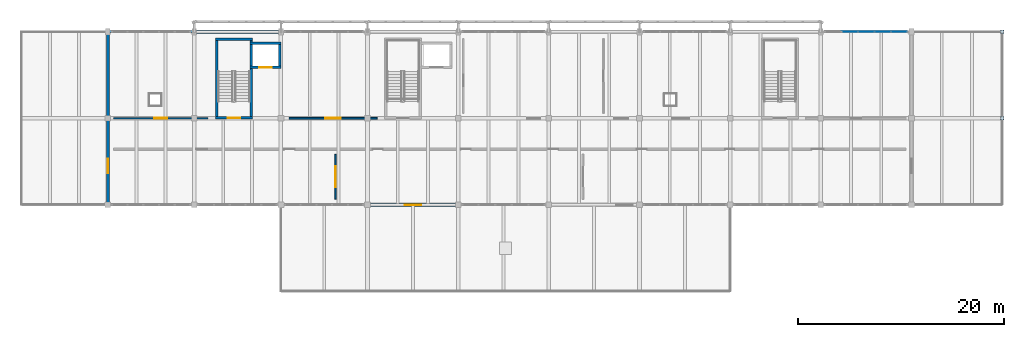
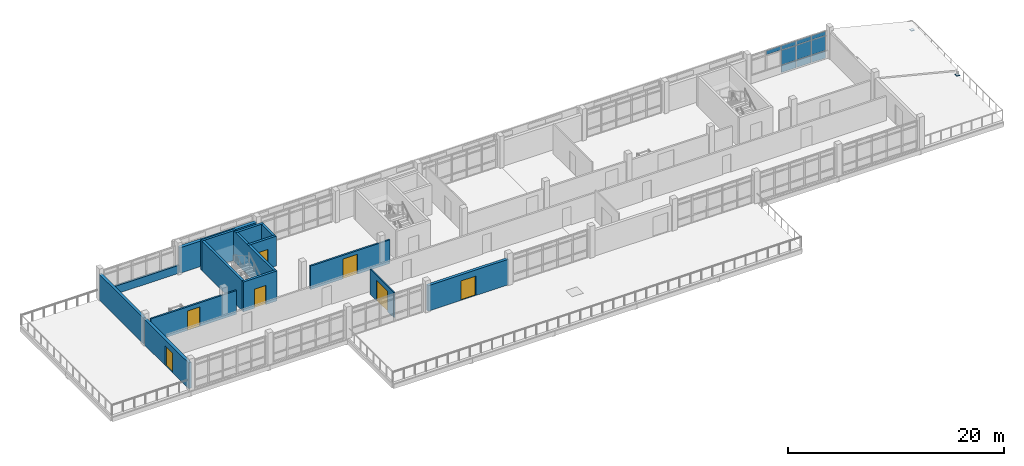
# One storey, part 23 of 30: 15 walls, 12 plates, 7 doors, 7 openings, 1 element without a shape of its own.
"""IFC4 building model written with IfcOpenShell, lengths in metres."""

from ifc_helpers import new_model, si_unit, direction, frame, frame_2d, origin, origin_2d, place, context, subcontext, project, spatial, rectangle, extrude, material, layer, layer_set, type_object, element, fill, aggregate, save


model = new_model("IFC4")

# Units and contexts
model_context = context("Model", 3, precision=1e-05, world=origin(), true_north=direction((0.0, 1.0)))
body_context = subcontext(model_context, "Body", "Model", "MODEL_VIEW")
ifc_project = project(units=[si_unit("LENGTHUNIT", "METRE"), si_unit("AREAUNIT", "SQUARE_METRE"), si_unit("VOLUMEUNIT", "CUBIC_METRE"), si_unit("PLANEANGLEUNIT", "RADIAN"), si_unit("MASSUNIT", "GRAM", prefix="KILO")], contexts=[model_context])

# Site, building, storey
site_placement = place(None, origin())
site = spatial("IfcSite", under=ifc_project, at=site_placement, CompositionType="ELEMENT")
building_placement = place(site_placement, origin())
building = spatial("IfcBuilding", under=site, at=building_placement, Name="Cinderway Yard Community Centre", CompositionType="ELEMENT")
storey_placement = place(building_placement, frame((0.0, 0.0, 16.5)))
storey = spatial("IfcBuildingStorey", under=building, at=storey_placement, Name="L04", CompositionType="ELEMENT", Elevation=16.5)

# Curtain wall, plates
ifc_material_1 = material(Name="Aluminium 6063-T6", Category="aluminium")
curtain_wall_type = type_object("IfcCurtainWallType", Name="ENV-CW-TYPE-33", PredefinedType="USERDEFINED", material=ifc_material_1)
curtain_wall_placement = place(storey_placement, origin())
curtain_wall = element("IfcCurtainWall", 1, at=curtain_wall_placement, inside=storey, type_object=curtain_wall_type, Name="V4 Street Curtain Wall ENV-CW-L04-ST-0186", ObjectType="GLAZED CURTAIN WALL", PredefinedType="USERDEFINED")
ifc_material_2 = material(Name="Laminated Low-E Glass", Category="glass")
ifc_layer_1 = layer(ifc_material_2, 0.028076171875, Name="Laminated Low-E Glass")
ifc_layer_set_1 = layer_set([ifc_layer_1], Name="Laminated Low-E Glass")
plate_type_1 = type_object("IfcPlateType", Name="ENV-CW-PAN-IGU28", PredefinedType="CURTAIN_PANEL", material=ifc_layer_set_1)
plate_1_placement = place(storey_placement, frame((121.991943359375, 115.199951171875, 2.630126953125), z_axis=(0.0, 0.0, 1.0), x_axis=(1.0, 0.0, 0.0)))
plate_1 = element("IfcPlate", 2, at=plate_1_placement, type_object=plate_type_1, Name="CW-33 panel 2.3", PredefinedType="CURTAIN_PANEL", context=body_context, shape_type="SweptSolid", body=[
    extrude(rectangle(XDim=1.548095703125, YDim=0.028076171875, at=origin_2d()), origin(), (0.0, 0.0, 1.0), 0.4599609375),
])
plate_2_placement = place(storey_placement, frame((123.60009765625, 115.199951171875, 0.06005859375), z_axis=(0.0, 0.0, 1.0), x_axis=(1.0, 0.0, 0.0)))
plate_2 = element("IfcPlate", 3, at=plate_2_placement, type_object=plate_type_1, Name="CW-33 panel 3.1", PredefinedType="CURTAIN_PANEL", context=body_context, shape_type="SweptSolid", body=[
    extrude(rectangle(XDim=1.548095703125, YDim=0.028076171875, at=origin_2d()), origin(), (0.0, 0.0, 1.0), 0.81005859375),
])
plate_3_placement = place(storey_placement, frame((123.60009765625, 115.199951171875, 0.93017578125), z_axis=(0.0, 0.0, 1.0), x_axis=(1.0, 0.0, 0.0)))
plate_3 = element("IfcPlate", 4, at=plate_3_placement, type_object=plate_type_1, Name="CW-33 panel 3.2", PredefinedType="CURTAIN_PANEL", context=body_context, shape_type="SweptSolid", body=[
    extrude(rectangle(XDim=1.548095703125, YDim=0.028076171875, at=origin_2d()), origin(), (0.0, 0.0, 1.0), 1.639892578125),
])
plate_4_placement = place(storey_placement, frame((123.60009765625, 115.199951171875, 2.630126953125), z_axis=(0.0, 0.0, 1.0), x_axis=(1.0, 0.0, 0.0)))
plate_4 = element("IfcPlate", 5, at=plate_4_placement, type_object=plate_type_1, Name="CW-33 panel 3.3", PredefinedType="CURTAIN_PANEL", context=body_context, shape_type="SweptSolid", body=[
    extrude(rectangle(XDim=1.548095703125, YDim=0.028076171875, at=origin_2d()), origin(), (0.0, 0.0, 1.0), 0.4599609375),
])
plate_5_placement = place(storey_placement, frame((125.2080078125, 115.199951171875, 0.06005859375), z_axis=(0.0, 0.0, 1.0), x_axis=(1.0, 0.0, 0.0)))
plate_5 = element("IfcPlate", 6, at=plate_5_placement, type_object=plate_type_1, Name="CW-33 panel 4.1", PredefinedType="CURTAIN_PANEL", context=body_context, shape_type="SweptSolid", body=[
    extrude(rectangle(XDim=1.548095703125, YDim=0.028076171875, at=origin_2d()), origin(), (0.0, 0.0, 1.0), 0.81005859375),
])
plate_6_placement = place(storey_placement, frame((125.2080078125, 115.199951171875, 0.93017578125), z_axis=(0.0, 0.0, 1.0), x_axis=(1.0, 0.0, 0.0)))
plate_6 = element("IfcPlate", 7, at=plate_6_placement, type_object=plate_type_1, Name="CW-33 panel 4.2", PredefinedType="CURTAIN_PANEL", context=body_context, shape_type="SweptSolid", body=[
    extrude(rectangle(XDim=1.548095703125, YDim=0.028076171875, at=origin_2d()), origin(), (0.0, 0.0, 1.0), 1.639892578125),
])
plate_7_placement = place(storey_placement, frame((125.2080078125, 115.199951171875, 2.630126953125), z_axis=(0.0, 0.0, 1.0), x_axis=(1.0, 0.0, 0.0)))
plate_7 = element("IfcPlate", 8, at=plate_7_placement, type_object=plate_type_1, Name="CW-33 panel 4.3", PredefinedType="CURTAIN_PANEL", context=body_context, shape_type="SweptSolid", body=[
    extrude(rectangle(XDim=1.548095703125, YDim=0.028076171875, at=origin_2d()), origin(), (0.0, 0.0, 1.0), 0.4599609375),
])
plate_8_placement = place(storey_placement, frame((126.801025390625, 115.199951171875, 0.06005859375), z_axis=(0.0, 0.0, 1.0), x_axis=(1.0, 0.0, 0.0)))
plate_8 = element("IfcPlate", 9, at=plate_8_placement, type_object=plate_type_1, Name="CW-33 panel 5.1", PredefinedType="CURTAIN_PANEL", context=body_context, shape_type="SweptSolid", body=[
    extrude(rectangle(XDim=1.51806640625, YDim=0.028076171875, at=origin_2d()), origin(), (0.0, 0.0, 1.0), 0.81005859375),
])
plate_9_placement = place(storey_placement, frame((126.801025390625, 115.199951171875, 0.93017578125), z_axis=(0.0, 0.0, 1.0), x_axis=(1.0, 0.0, 0.0)))
plate_9 = element("IfcPlate", 10, at=plate_9_placement, type_object=plate_type_1, Name="CW-33 panel 5.2", PredefinedType="CURTAIN_PANEL", context=body_context, shape_type="SweptSolid", body=[
    extrude(rectangle(XDim=1.51806640625, YDim=0.028076171875, at=origin_2d()), origin(), (0.0, 0.0, 1.0), 1.639892578125),
])
plate_10_placement = place(storey_placement, frame((126.801025390625, 115.199951171875, 2.630126953125), z_axis=(0.0, 0.0, 1.0), x_axis=(1.0, 0.0, 0.0)))
plate_10 = element("IfcPlate", 11, at=plate_10_placement, type_object=plate_type_1, Name="CW-33 panel 5.3", PredefinedType="CURTAIN_PANEL", context=body_context, shape_type="SweptSolid", body=[
    extrude(rectangle(XDim=1.51806640625, YDim=0.028076171875, at=origin_2d()), origin(), (0.0, 0.0, 1.0), 0.4599609375),
])
aggregate(curtain_wall, [plate_1, plate_2, plate_3, plate_4, plate_5, plate_6, plate_7, plate_8, plate_9, plate_10])

# Plates
ifc_material_3 = material(Name="Steel S355", Category="steel")
ifc_layer_2 = layer(ifc_material_3, 0.02490234375, Name="Steel S355")
ifc_layer_set_2 = layer_set([ifc_layer_2], Name="Steel S355")
plate_type_2 = type_object("IfcPlateType", Name="STR-PLT-CAP340", PredefinedType="SHEET", material=ifc_layer_set_2)
for number, where, z_axis, x_axis, name in (
    (12, (136.800048828125, 106.800048828125, -0.012451171875), (0.0, 0.0, 1.0), (1.0, 0.0, 0.0), "V4 SHARD-E post base 106"),
    (13, (136.800048828125, 115.199951171875, -0.012451171875), (0.0, 0.0, 1.0), (1.0, 0.0, 0.0), "V4 SHARD-E post base 115"),
):
    element("IfcPlate", number, at=place(storey_placement, frame(where, z_axis=z_axis, x_axis=x_axis)), inside=storey, type_object=plate_type_2, Name=name, PredefinedType="SHEET", context=body_context, shape_type="SweptSolid", body=[
        extrude(rectangle(XDim=0.35009765625, YDim=0.35009765625, at=origin_2d()), origin(), (0.0, 0.0, 1.0), 0.02490234375),
    ])

# Wall, opening, door
ifc_material_4 = material(Name="Brick Masonry", Category="masonry")
ifc_layer_3 = layer(ifc_material_4, 0.300048828125, Name="Brick Masonry")
ifc_layer_set_3 = layer_set([ifc_layer_3], Name="Brick Masonry")
wall_type_1 = type_object("IfcWallType", Name="ENV-WAL-EXT300", PredefinedType="SOLIDWALL", material=ifc_layer_set_3)
wall_1_placement = place(storey_placement, frame((75.300048828125, 98.39990234375, 0.0), z_axis=(0.0, 0.0, 1.0), x_axis=(1.0, 0.0, 0.0)))
wall_1 = element("IfcWall", 14, at=wall_1_placement, inside=storey, type_object=wall_type_1, Name="V4 Courtyard Portal Wall ENV-WAL-L04-0180", PredefinedType="SOLIDWALL", context=body_context, shape_type="SweptSolid", body=[
    extrude(rectangle(XDim=8.599853515625, YDim=0.300048828125, at=frame_2d((4.2998046875, 0.0))), origin(), (0.0, 0.0, 1.0), 2.885009765625),
])
opening_1_placement = place(wall_1_placement, frame((3.5, 0.0, 0.0)))
opening_1 = element("IfcOpeningElement", 15, at=opening_1_placement, cuts=wall_1, Name="Opening D-TR1", PredefinedType="OPENING", context=body_context, shape_type="SweptSolid", body=[
    extrude(rectangle(XDim=1.60009765625, YDim=2.199951171875, at=frame_2d((0.800048828125, 1.10009765625))), frame((0.0, 0.159912109375, 0.0), z_axis=(0.0, -1.0, 0.0), x_axis=(1.0, 0.0, 0.0)), (0.0, 0.0, 1.0), 0.320068359375),
])
door_type_1 = type_object("IfcDoorType", Name="INT-DOR-TER160", OperationType="DOUBLE_DOOR_SINGLE_SWING", PredefinedType="DOOR", material=ifc_material_1)
door_1_placement = place(opening_1_placement, origin())
door_1 = element("IfcDoor", 16, at=door_1_placement, inside=storey, type_object=door_type_1, Name="Youth Hub L04 South Courtyard Terrace Door EXT-DOR-L04-0091", OperationType="DOUBLE_DOOR_SINGLE_SWING", OverallHeight=2.199951171875, OverallWidth=1.60009765625, PredefinedType="DOOR", context=body_context, shape_type="SweptSolid", body=[
    extrude(rectangle(XDim=1.60009765625, YDim=2.199951171875, at=frame_2d((0.800048828125, 1.10009765625))), frame((0.0, 0.02490234375, 0.0), z_axis=(0.0, -1.0, 0.0), x_axis=(1.0, 0.0, 0.0)), (0.0, 0.0, 1.0), 0.050048828125),
])
fill(opening_1, door_1)

wall_2_placement = place(storey_placement, frame((50.0, 98.5, 0.0), z_axis=(0.0, 0.0, 1.0), x_axis=(0.0, 1.0, 0.0)))
wall_2 = element("IfcWall", 17, at=wall_2_placement, inside=storey, type_object=wall_type_1, Name="V4 West End Wall ENV-WAL-L04-0184", PredefinedType="SOLIDWALL", context=body_context, shape_type="SweptSolid", body=[
    extrude(rectangle(XDim=8.199951171875, YDim=0.300048828125, at=frame_2d((4.10009765625, 0.0))), origin(), (0.0, 0.0, 1.0), 2.9150390625),
])
opening_2_placement = place(wall_2_placement, frame((2.949951171875, 0.0, 0.0)))
opening_2 = element("IfcOpeningElement", 18, at=opening_2_placement, cuts=wall_2, Name="Opening D-TR2", PredefinedType="OPENING", context=body_context, shape_type="SweptSolid", body=[
    extrude(rectangle(XDim=1.39990234375, YDim=2.199951171875, at=frame_2d((0.699951171875, 1.10009765625))), frame((0.0, 0.159912109375, 0.0), z_axis=(0.0, -1.0, 0.0), x_axis=(1.0, 0.0, 0.0)), (0.0, 0.0, 1.0), 0.320068359375),
])
door_type_2 = type_object("IfcDoorType", Name="INT-DOR-TER140", OperationType="DOUBLE_DOOR_SINGLE_SWING", PredefinedType="DOOR", material=ifc_material_1)
door_2_placement = place(opening_2_placement, origin())
door_2 = element("IfcDoor", 19, at=door_2_placement, inside=storey, type_object=door_type_2, Name="Digital Media L04 West Terrace Door EXT-DOR-L04-0090", OperationType="DOUBLE_DOOR_SINGLE_SWING", OverallHeight=2.199951171875, OverallWidth=1.39990234375, PredefinedType="DOOR", context=body_context, shape_type="SweptSolid", body=[
    extrude(rectangle(XDim=1.39990234375, YDim=2.199951171875, at=frame_2d((0.699951171875, 1.10009765625))), frame((0.0, 0.02490234375, 0.0), z_axis=(0.0, -1.0, 0.0), x_axis=(1.0, 0.0, 0.0)), (0.0, 0.0, 1.0), 0.050048828125),
])
fill(opening_2, door_2)

# Walls
wall_3_placement = place(storey_placement, frame((50.0, 106.89990234375, 0.0), z_axis=(0.0, 0.0, 1.0), x_axis=(0.0, 1.0, 0.0)))
element("IfcWall", 20, at=wall_3_placement, inside=storey, type_object=wall_type_1, Name="V4 West End Wall ENV-WAL-L04-0185", PredefinedType="SOLIDWALL", context=body_context, shape_type="SweptSolid", body=[
    extrude(rectangle(XDim=8.2001953125, YDim=0.300048828125, at=frame_2d((4.10009765625, 0.0))), origin(), (0.0, 0.0, 1.0), 2.9150390625),
])
ifc_layer_4 = layer(ifc_material_4, 0.340087890625, Name="Brick Masonry")
ifc_layer_set_4 = layer_set([ifc_layer_4], Name="Brick Masonry")
wall_type_2 = type_object("IfcWallType", Name="ENV-WAL-EXT340", PredefinedType="SOLIDWALL", material=ifc_layer_set_4)
wall_4_placement = place(storey_placement, frame((58.5, 115.199951171875, 0.0), z_axis=(0.0, 0.0, 1.0), x_axis=(1.0, 0.0, 0.0)))
element("IfcWall", 21, at=wall_4_placement, inside=storey, type_object=wall_type_2, Name="V4 Street Brick Facade Wall ENV-WAL-L04-0178", PredefinedType="SOLIDWALL", context=body_context, shape_type="SweptSolid", body=[
    extrude(rectangle(XDim=8.199951171875, YDim=0.340087890625, at=frame_2d((4.10009765625, 0.0))), origin(), (0.0, 0.0, 1.0), 2.885009765625),
])
ifc_material_5 = material(Name="Concrete C35/45", Category="concrete")
ifc_layer_5 = layer(ifc_material_5, 0.199951171875, Name="Concrete C35/45")
ifc_layer_set_5 = layer_set([ifc_layer_5], Name="Concrete C35/45")
wall_type_3 = type_object("IfcWallType", Name="ENV-WAL-PAR200", PredefinedType="PARAPET", material=ifc_layer_set_5)
wall_5_placement = place(storey_placement, frame((50.0, 115.199951171875, 0.0), z_axis=(0.0, 0.0, 1.0), x_axis=(1.0, 0.0, 0.0)))
element("IfcWall", 22, at=wall_5_placement, inside=storey, type_object=wall_type_3, Name="Roof parapet upstand ENV-WAL-L04-0247", PredefinedType="PARAPET", context=body_context, shape_type="SweptSolid", body=[
    extrude(rectangle(XDim=8.39990234375, YDim=0.199951171875, at=frame_2d((4.199951171875, 0.0))), origin(), (0.0, 0.0, 1.0), 0.89990234375),
])

# Wall, opening, door
ifc_material_6 = material(Name="Gypsum Board Partition", Category="gypsum")
ifc_layer_6 = layer(ifc_material_6, 0.139892578125, Name="Gypsum Board Partition")
ifc_layer_set_6 = layer_set([ifc_layer_6], Name="Gypsum Board Partition")
wall_type_4 = type_object("IfcWallType", Name="INT-WAL-PRT140", PredefinedType="PARTITIONING", material=ifc_layer_set_6)
wall_6_placement = place(storey_placement, frame((72.10009765625, 98.949951171875, 0.0), z_axis=(0.0, 0.0, 1.0), x_axis=(0.0, 1.0, 0.0)))
wall_6 = element("IfcWall", 23, at=wall_6_placement, inside=storey, type_object=wall_type_4, Name="V4 L04 South Room Partition INT-PRT-L04-0331", PredefinedType="PARTITIONING", context=body_context, shape_type="SweptSolid", body=[
    extrude(rectangle(XDim=4.35009765625, YDim=0.139892578125, at=frame_2d((2.175048828125, 0.0))), origin(), (0.0, 0.0, 1.0), 2.844970703125),
])
opening_3_placement = place(wall_6_placement, frame((1.175048828125, 0.0, 0.0)))
opening_3 = element("IfcOpeningElement", 24, at=opening_3_placement, cuts=wall_6, Name="Opening D-01", PredefinedType="OPENING", context=body_context, shape_type="SweptSolid", body=[
    extrude(rectangle(XDim=2.0, YDim=2.300048828125, at=frame_2d((1.0, 1.14990234375))), frame((0.0, 0.079833984375, 0.0), z_axis=(0.0, -1.0, 0.0), x_axis=(1.0, 0.0, 0.0)), (0.0, 0.0, 1.0), 0.159912109375),
])
ifc_material_7 = material(Name="Hardwood Timber", Category="wood")
door_type_3 = type_object("IfcDoorType", Name="INT-DOR-HAL200", OperationType="DOUBLE_DOOR_SINGLE_SWING", PredefinedType="DOOR", material=ifc_material_7)
door_3_placement = place(opening_3_placement, origin())
door_3 = element("IfcDoor", 25, at=door_3_placement, inside=storey, type_object=door_type_3, Name="Room door INT-DOR-L04-0265", OperationType="DOUBLE_DOOR_SINGLE_SWING", OverallHeight=2.300048828125, OverallWidth=2.0, PredefinedType="DOOR", context=body_context, shape_type="SweptSolid", body=[
    extrude(rectangle(XDim=2.0, YDim=2.300048828125, at=frame_2d((1.0, 1.14990234375))), frame((0.0, 0.02490234375, 0.0), z_axis=(0.0, -1.0, 0.0), x_axis=(1.0, 0.0, 0.0)), (0.0, 0.0, 1.0), 0.050048828125),
])
fill(opening_3, door_3)

ifc_layer_7 = layer(ifc_material_4, 0.179931640625, Name="Brick Masonry")
ifc_layer_set_7 = layer_set([ifc_layer_7], Name="Brick Masonry")
wall_type_5 = type_object("IfcWallType", Name="INT-WAL-PRT180", PredefinedType="PARTITIONING", material=ifc_layer_set_7)
wall_7_placement = place(storey_placement, frame((50.550048828125, 106.800048828125, 0.0), z_axis=(0.0, 0.0, 1.0), x_axis=(1.0, 0.0, 0.0)))
wall_7 = element("IfcWall", 26, at=wall_7_placement, inside=storey, type_object=wall_type_5, Name="V4 L04 North Corridor Spine INT-PRT-L04-0327", PredefinedType="PARTITIONING", context=body_context, shape_type="SweptSolid", body=[
    extrude(rectangle(XDim=9.179931640625, YDim=0.179931640625, at=frame_2d((4.58984375, 0.0))), origin(), (0.0, 0.0, 1.0), 2.6650390625),
])
opening_4_placement = place(wall_7_placement, frame((3.93994140625, 0.0, 0.0)))
opening_4 = element("IfcOpeningElement", 27, at=opening_4_placement, cuts=wall_7, Name="Opening D-12", PredefinedType="OPENING", context=body_context, shape_type="SweptSolid", body=[
    extrude(rectangle(XDim=1.300048828125, YDim=2.199951171875, at=frame_2d((0.64990234375, 1.10009765625))), frame((0.0, 0.099853515625, 0.0), z_axis=(0.0, -1.0, 0.0), x_axis=(1.0, 0.0, 0.0)), (0.0, 0.0, 1.0), 0.199951171875),
])
ifc_material_8 = material(Name="Painted Galvanised Steel", Category="steel")
door_type_4 = type_object("IfcDoorType", Name="INT-DOR-PLT130", OperationType="NOTDEFINED", PredefinedType="DOOR", material=ifc_material_8)
door_4_placement = place(opening_4_placement, origin())
door_4 = element("IfcDoor", 28, at=door_4_placement, inside=storey, type_object=door_type_4, Name="Room door INT-DOR-L04-0259", OperationType="SINGLE_SWING_RIGHT", OverallHeight=2.199951171875, OverallWidth=1.300048828125, PredefinedType="DOOR", context=body_context, shape_type="SweptSolid", body=[
    extrude(rectangle(XDim=1.300048828125, YDim=2.199951171875, at=frame_2d((0.64990234375, 1.10009765625))), frame((0.0, 0.02490234375, 0.0), z_axis=(0.0, -1.0, 0.0), x_axis=(1.0, 0.0, 0.0)), (0.0, 0.0, 1.0), 0.050048828125),
])
fill(opening_4, door_4)

wall_8_placement = place(storey_placement, frame((67.60009765625, 106.800048828125, 0.0), z_axis=(0.0, 0.0, 1.0), x_axis=(1.0, 0.0, 0.0)))
wall_8 = element("IfcWall", 29, at=wall_8_placement, inside=storey, type_object=wall_type_5, Name="V4 L04 North Corridor Spine INT-PRT-L04-0328", PredefinedType="PARTITIONING", context=body_context, shape_type="SweptSolid", body=[
    extrude(rectangle(XDim=8.52978515625, YDim=0.179931640625, at=frame_2d((4.264892578125, 0.0))), origin(), (0.0, 0.0, 1.0), 2.6650390625),
])
opening_5_placement = place(wall_8_placement, frame((3.514892578125, 0.0, 0.0)))
opening_5 = element("IfcOpeningElement", 30, at=opening_5_placement, cuts=wall_8, Name="Opening D-13", PredefinedType="OPENING", context=body_context, shape_type="SweptSolid", body=[
    extrude(rectangle(XDim=1.5, YDim=2.25, at=frame_2d((0.75, 1.125))), frame((0.0, 0.099853515625, 0.0), z_axis=(0.0, -1.0, 0.0), x_axis=(1.0, 0.0, 0.0)), (0.0, 0.0, 1.0), 0.199951171875),
])
door_type_5 = type_object("IfcDoorType", Name="INT-DOR-PLT150", OperationType="DOUBLE_DOOR_SINGLE_SWING", PredefinedType="DOOR", material=ifc_material_8)
door_5_placement = place(opening_5_placement, origin())
door_5 = element("IfcDoor", 31, at=door_5_placement, inside=storey, type_object=door_type_5, Name="Room door INT-DOR-L04-0260", OperationType="DOUBLE_DOOR_SINGLE_SWING", OverallHeight=2.25, OverallWidth=1.5, PredefinedType="DOOR", context=body_context, shape_type="SweptSolid", body=[
    extrude(rectangle(XDim=1.5, YDim=2.25, at=frame_2d((0.75, 1.125))), frame((0.0, 0.02490234375, 0.0), z_axis=(0.0, -1.0, 0.0), x_axis=(1.0, 0.0, 0.0)), (0.0, 0.0, 1.0), 0.050048828125),
])
fill(opening_5, door_5)

ifc_material_9 = material(Name="Concrete C40/50", Category="concrete")
ifc_layer_8 = layer(ifc_material_9, 0.25, Name="Concrete C40/50")
ifc_layer_set_8 = layer_set([ifc_layer_8], Name="Concrete C40/50")
wall_type_6 = type_object("IfcWallType", Name="INT-WAL-SHR250", PredefinedType="SHEAR", material=ifc_layer_set_8)
wall_9_placement = place(storey_placement, frame((64.044921875, 106.830078125, 0.0), z_axis=(0.0, 0.0, 1.0), x_axis=(-1.0, 0.0, 0.0)))
wall_9 = element("IfcWall", 32, at=wall_9_placement, inside=storey, type_object=wall_type_6, Name="Stair ST-01 Entry Wall INT-WAL-L04-0017", PredefinedType="SHEAR", context=body_context, shape_type="SweptSolid", body=[
    extrude(rectangle(XDim=3.60986328125, YDim=0.25, at=frame_2d((1.804931640625, 0.0))), origin(), (0.0, 0.0, 1.0), 3.3798828125),
])
opening_6_placement = place(wall_9_placement, frame((1.205078125, 0.0, 0.0)))
opening_6 = element("IfcOpeningElement", 33, at=opening_6_placement, cuts=wall_9, Name="Opening D-ST1", PredefinedType="OPENING", context=body_context, shape_type="SweptSolid", body=[
    extrude(rectangle(XDim=1.199951171875, YDim=2.14990234375, at=frame_2d((0.60009765625, 1.074951171875))), frame((0.0, 0.135009765625, 0.0), z_axis=(0.0, -1.0, 0.0), x_axis=(1.0, 0.0, 0.0)), (0.0, 0.0, 1.0), 0.27001953125),
])
door_type_6 = type_object("IfcDoorType", Name="INT-DOR-ST120", OperationType="NOTDEFINED", PredefinedType="DOOR", material=ifc_material_8)
door_6_placement = place(opening_6_placement, origin())
door_6 = element("IfcDoor", 34, at=door_6_placement, inside=storey, type_object=door_type_6, Name="Core door INT-DOR-L04-0005", OperationType="SINGLE_SWING_LEFT", OverallHeight=2.14990234375, OverallWidth=1.199951171875, PredefinedType="DOOR", context=body_context, shape_type="SweptSolid", body=[
    extrude(rectangle(XDim=1.199951171875, YDim=2.14990234375, at=frame_2d((0.60009765625, 1.074951171875))), frame((0.0, 0.02490234375, 0.0), z_axis=(0.0, -1.0, 0.0), x_axis=(1.0, 0.0, 0.0)), (0.0, 0.0, 1.0), 0.050048828125),
])
fill(opening_6, door_6)

# Walls
wall_10_placement = place(storey_placement, frame((60.43505859375, 114.469970703125, 0.0), z_axis=(0.0, 0.0, 1.0), x_axis=(1.0, 0.0, 0.0)))
element("IfcWall", 35, at=wall_10_placement, inside=storey, type_object=wall_type_6, Name="Stair ST-01 Back Wall INT-WAL-L04-0018", PredefinedType="SHEAR", context=body_context, shape_type="SweptSolid", body=[
    extrude(rectangle(XDim=3.60986328125, YDim=0.25, at=frame_2d((1.804931640625, 0.0))), origin(), (0.0, 0.0, 1.0), 3.3798828125),
])
for number, where, z_axis, x_axis, name in (
    (36, (60.56005859375, 106.955078125, 0.0), (0.0, 0.0, 1.0), (0.0, 1.0, 0.0), "Stair ST-01 Side Wall L INT-WAL-L04-0019"),
    (37, (63.919921875, 114.344970703125, 0.0), (0.0, 0.0, 1.0), (0.0, -1.0, 0.0), "Stair ST-01 Side Wall R INT-WAL-L04-0020"),
):
    element("IfcWall", number, at=place(storey_placement, frame(where, z_axis=z_axis, x_axis=x_axis)), inside=storey, type_object=wall_type_6, Name=name, PredefinedType="SHEAR", context=body_context, shape_type="SweptSolid", body=[
        extrude(rectangle(XDim=7.389892578125, YDim=0.25, at=frame_2d((3.69482421875, 0.0))), origin(), (0.0, 0.0, 1.0), 3.3798828125),
    ])

# Wall, opening, door
wall_11_placement = place(storey_placement, frame((63.800048828125, 111.72998046875, 0.0), z_axis=(0.0, 0.0, 1.0), x_axis=(1.0, 0.0, 0.0)))
wall_11 = element("IfcWall", 38, at=wall_11_placement, inside=storey, type_object=wall_type_6, Name="Lift LF-01 South Wall INT-WAL-L04-0037", PredefinedType="SHEAR", context=body_context, shape_type="SweptSolid", body=[
    extrude(rectangle(XDim=3.0, YDim=0.25, at=frame_2d((1.5, 0.0))), origin(), (0.0, 0.0, 1.0), 3.3798828125),
])
opening_7_placement = place(wall_11_placement, frame((0.889892578125, 0.0, 0.0)))
opening_7 = element("IfcOpeningElement", 39, at=opening_7_placement, cuts=wall_11, Name="Opening LD-02", PredefinedType="OPENING", context=body_context, shape_type="SweptSolid", body=[
    extrude(rectangle(XDim=1.219970703125, YDim=2.179931640625, at=frame_2d((0.60986328125, 1.08984375))), frame((0.0, 0.135009765625, 0.0), z_axis=(0.0, -1.0, 0.0), x_axis=(1.0, 0.0, 0.0)), (0.0, 0.0, 1.0), 0.27001953125),
])
door_type_7 = type_object("IfcDoorType", Name="INT-DOR-LD02", OperationType="SLIDING_TO_RIGHT", PredefinedType="DOOR", material=ifc_material_8)
door_7_placement = place(opening_7_placement, origin())
door_7 = element("IfcDoor", 40, at=door_7_placement, inside=storey, type_object=door_type_7, Name="Lift landing door INT-DOR-L04-0011", OperationType="SLIDING_TO_RIGHT", OverallHeight=2.179931640625, OverallWidth=1.219970703125, PredefinedType="DOOR", context=body_context, shape_type="SweptSolid", body=[
    extrude(rectangle(XDim=1.219970703125, YDim=2.179931640625, at=frame_2d((0.60986328125, 1.08984375))), frame((0.0, 0.02490234375, 0.0), z_axis=(0.0, -1.0, 0.0), x_axis=(1.0, 0.0, 0.0)), (0.0, 0.0, 1.0), 0.050048828125),
])
fill(opening_7, door_7)

# Walls
wall_12_placement = place(storey_placement, frame((66.800048828125, 114.070068359375, 0.0), z_axis=(0.0, 0.0, 1.0), x_axis=(-1.0, 0.0, 0.0)))
element("IfcWall", 41, at=wall_12_placement, inside=storey, type_object=wall_type_6, Name="Lift LF-01 North Wall INT-WAL-L04-0038", PredefinedType="SHEAR", context=body_context, shape_type="SweptSolid", body=[
    extrude(rectangle(XDim=3.0, YDim=0.25, at=frame_2d((1.5, 0.0))), origin(), (0.0, 0.0, 1.0), 3.3798828125),
])
wall_13_placement = place(storey_placement, frame((66.669921875, 111.860107421875, 0.0), z_axis=(0.0, 0.0, 1.0), x_axis=(0.0, 1.0, 0.0)))
element("IfcWall", 42, at=wall_13_placement, inside=storey, type_object=wall_type_6, Name="Lift LF-01 East Wall INT-WAL-L04-0039", PredefinedType="SHEAR", context=body_context, shape_type="SweptSolid", body=[
    extrude(rectangle(XDim=2.079833984375, YDim=0.25, at=frame_2d((1.0400390625, 0.0))), origin(), (0.0, 0.0, 1.0), 3.3798828125),
])

save(model, "model.ifc")
